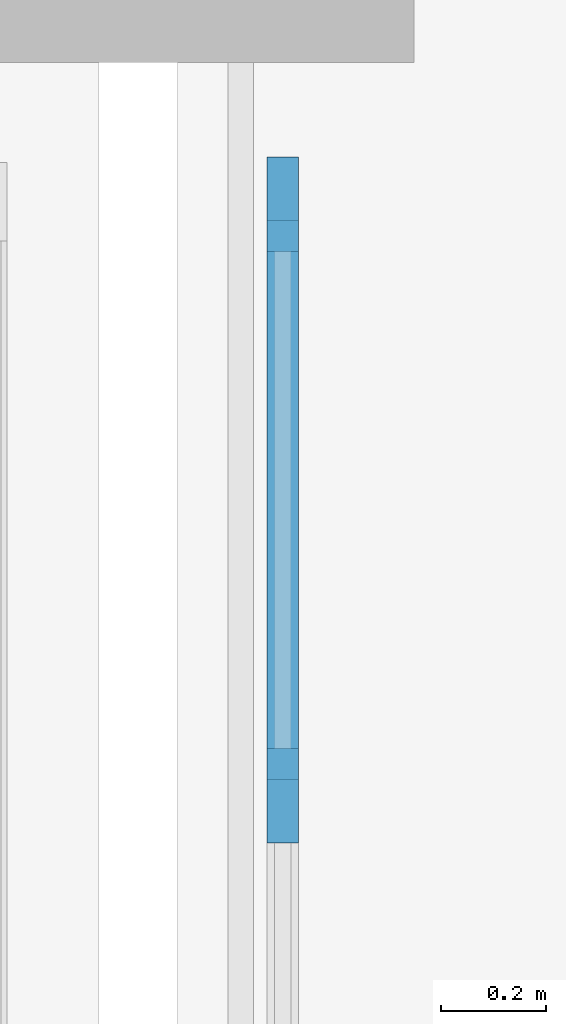
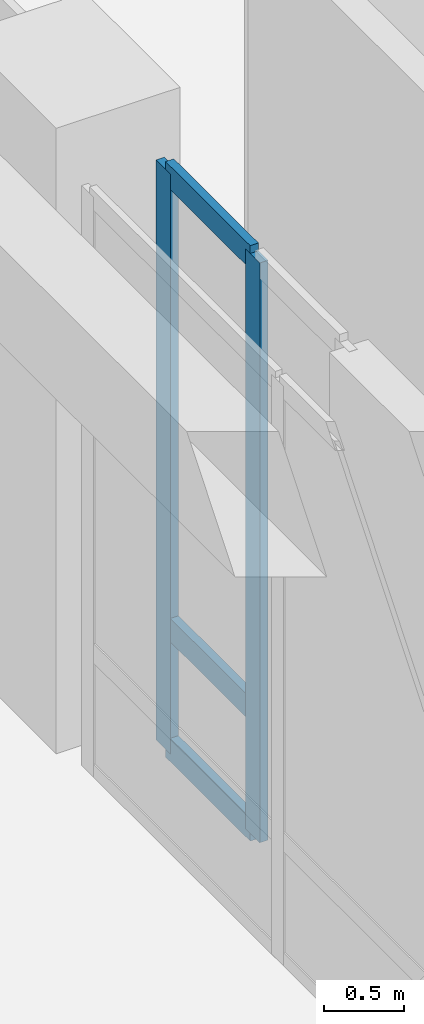
# One storey, part 25 of 126: 5 members, 1 element without a shape of its own.
"""IFC4 building model written with IfcOpenShell, lengths in metres."""

from ifc_helpers import new_model, si_unit, derived_unit, direction, frame, origin, origin_2d, place, context, subcontext, project, spatial, rectangle, extrude, material, layer, layer_set, material_profile, profile_set, type_object, element, aggregate, save


model = new_model("IFC4")

# Units and contexts
model_context = context("Model", 3, precision=1e-05, world=origin(), true_north=direction((0.0, 1.0)))
body_context = subcontext(model_context, "Body", "Model", "MODEL_VIEW")
ifc_project = project(units=[si_unit("LENGTHUNIT", "METRE"), si_unit("AREAUNIT", "SQUARE_METRE"), si_unit("VOLUMEUNIT", "CUBIC_METRE"), si_unit("PLANEANGLEUNIT", "RADIAN"), si_unit("MASSUNIT", "GRAM", prefix="KILO"), derived_unit("THERMALTRANSMITTANCEUNIT", [(si_unit("MASSUNIT", "GRAM", prefix="KILO"), 1), (si_unit("TIMEUNIT", "SECOND"), -3), (si_unit("THERMODYNAMICTEMPERATUREUNIT", "KELVIN"), -1)])], contexts=[model_context])

# Site, building, storey
site_placement = place(None, origin())
site = spatial("IfcSite", under=ifc_project, at=site_placement, CompositionType="ELEMENT")
building_placement = place(site_placement, origin())
building = spatial("IfcBuilding", under=site, at=building_placement, Name="Valcora Ridge Arena", CompositionType="ELEMENT")
storey_placement = place(building_placement, frame((0.0, 0.0, 11.39990234375)))
storey = spatial("IfcBuildingStorey", under=building, at=storey_placement, Name="L02", CompositionType="ELEMENT", Elevation=11.39990234375)

# Curtain wall, members
ifc_material = material(Name="Anodised dark bronze architectural aluminium 6063-T6", Category="aluminium")
ifc_layer = layer(ifc_material, 0.179931640625, Name="Anodised dark bronze architectural aluminium 6063-T6")
ifc_layer_set = layer_set([ifc_layer], Name="Anodised dark bronze architectural aluminium 6063-T6")
curtain_wall_type = type_object("IfcCurtainWallType", Name="TY-CURTAINWALL-CW-V1-GOTH-023X44", PredefinedType="NOTDEFINED", material=ifc_layer_set)
curtain_wall_placement = place(storey_placement, origin())
curtain_wall = element("IfcCurtainWall", 1, at=curtain_wall_placement, inside=storey, type_object=curtain_wall_type, Name="CW-V1-GOTH-023X44 CW-0114", PredefinedType="NOTDEFINED")
ifc_material_profile_1 = material_profile(ifc_material, rectangle(XDim=0.06005859375, YDim=0.179931640625, at=origin_2d()), Name="ALU MULLION 60x180")
ifc_profile_set_1 = profile_set([ifc_material_profile_1], Name="Anodised dark bronze architectural aluminium 6063-T6")
member_type_1 = type_object("IfcMemberType", Name="TY-MEM-CWM-60x180", PredefinedType="MULLION", material=ifc_profile_set_1)
member_1_placement = place(storey_placement, frame((16.199951171875, 62.0048828125, 0.0), z_axis=(0.0, 0.0, 1.0), x_axis=(-1.0, 0.0, 0.0)))
member_1 = element("IfcMember", 2, at=member_1_placement, type_object=member_type_1, Name="CW-0114/CWM-60x180/M01", PredefinedType="MULLION", context=body_context, shape_type="SweptSolid", body=[
    extrude(rectangle(XDim=0.06005859375, YDim=0.179931640625, at=origin_2d()), origin(), (0.0, 0.0, 1.0), 4.4501953125),
])
member_2_placement = place(storey_placement, frame((16.199951171875, 63.1298828125, 0.0), z_axis=(0.0, 0.0, 1.0), x_axis=(-1.0, 0.0, 0.0)))
member_2 = element("IfcMember", 3, at=member_2_placement, type_object=member_type_1, Name="CW-0114/CWM-60x180/M02", PredefinedType="MULLION", context=body_context, shape_type="SweptSolid", body=[
    extrude(rectangle(XDim=0.06005859375, YDim=0.179931640625, at=origin_2d()), origin(), (0.0, 0.0, 1.0), 4.4501953125),
])
ifc_material_profile_2 = material_profile(ifc_material, rectangle(XDim=0.06005859375, YDim=0.179931640625, at=origin_2d()), Name="ALU TRANSOM 60x180")
ifc_profile_set_2 = profile_set([ifc_material_profile_2], Name="Anodised dark bronze architectural aluminium 6063-T6")
member_type_2 = type_object("IfcMemberType", Name="TY-MEM-CWT-60x180", PredefinedType="USERDEFINED", material=ifc_profile_set_2)
member_3_placement = place(storey_placement, frame((16.199951171875, 62.034912109375, 0.030029296875), z_axis=(0.0, 1.0, 0.0), x_axis=(-1.0, 0.0, 0.0)))
member_3 = element("IfcMember", 4, at=member_3_placement, type_object=member_type_2, Name="CW-0114/CWT-60x180/T01-00", ObjectType="TRANSOM", PredefinedType="USERDEFINED", context=body_context, shape_type="SweptSolid", body=[
    extrude(rectangle(XDim=0.06005859375, YDim=0.179931640625, at=origin_2d()), origin(), (0.0, 0.0, 1.0), 1.065185546875),
])
member_4_placement = place(storey_placement, frame((16.199951171875, 62.034912109375, 0.9501953125), z_axis=(0.0, 1.0, 0.0), x_axis=(-1.0, 0.0, 0.0)))
member_4 = element("IfcMember", 5, at=member_4_placement, type_object=member_type_2, Name="CW-0114/CWT-60x180/T01-01", ObjectType="TRANSOM", PredefinedType="USERDEFINED", context=body_context, shape_type="SweptSolid", body=[
    extrude(rectangle(XDim=0.06005859375, YDim=0.179931640625, at=origin_2d()), origin(), (0.0, 0.0, 1.0), 1.065185546875),
])
member_5_placement = place(storey_placement, frame((16.199951171875, 62.034912109375, 4.420166015625), z_axis=(0.0, 1.0, 0.0), x_axis=(-1.0, 0.0, 0.0)))
member_5 = element("IfcMember", 6, at=member_5_placement, type_object=member_type_2, Name="CW-0114/CWT-60x180/T01-02", ObjectType="TRANSOM", PredefinedType="USERDEFINED", context=body_context, shape_type="SweptSolid", body=[
    extrude(rectangle(XDim=0.06005859375, YDim=0.179931640625, at=origin_2d()), origin(), (0.0, 0.0, 1.0), 1.065185546875),
])
aggregate(curtain_wall, [member_1, member_2, member_3, member_4, member_5])

save(model, "model.ifc")
